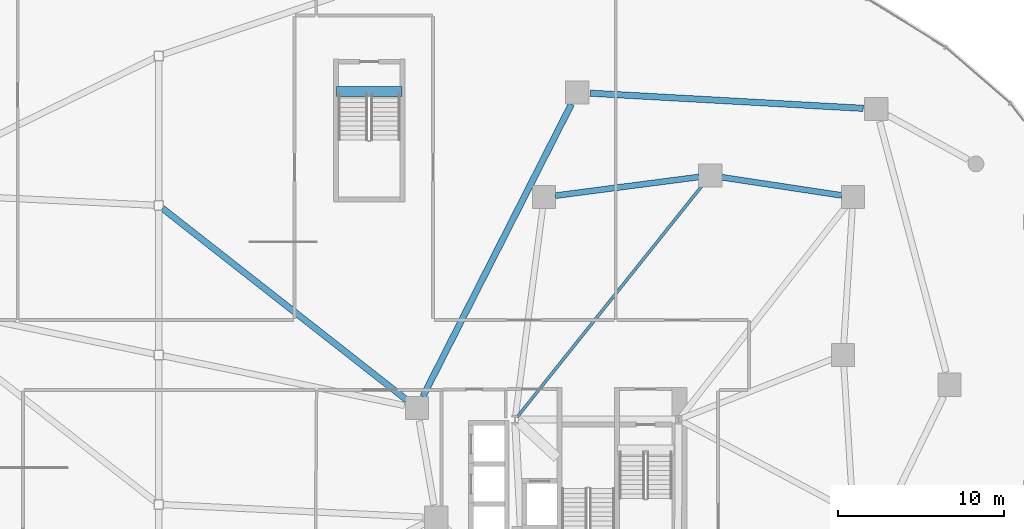
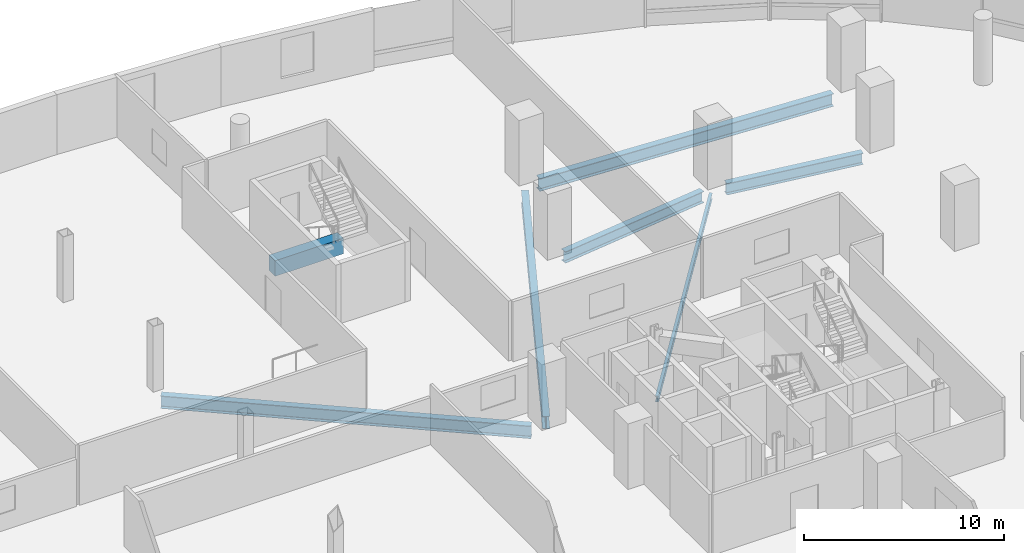
# One storey, part 9 of 18: 7 beams.
"""IFC4 building model written with IfcOpenShell, lengths in metres."""

from ifc_helpers import new_model, si_unit, direction, frame, origin, origin_2d, place, context, subcontext, project, spatial, rectangle, i_section, extrude, material, material_profile, profile_set, type_object, element, save


model = new_model("IFC4")

# Units and contexts
model_context = context("Model", 3, precision=1e-05, world=origin(), true_north=direction((0.0, 1.0)))
body_context = subcontext(model_context, "Body", "Model", "MODEL_VIEW")
ifc_project = project(units=[si_unit("LENGTHUNIT", "METRE"), si_unit("AREAUNIT", "SQUARE_METRE"), si_unit("VOLUMEUNIT", "CUBIC_METRE"), si_unit("PLANEANGLEUNIT", "RADIAN"), si_unit("MASSUNIT", "GRAM", prefix="KILO"), si_unit("THERMODYNAMICTEMPERATUREUNIT", "KELVIN"), si_unit("POWERUNIT", "WATT")], contexts=[model_context])

# Site, building, storey
site_placement = place(None, origin())
site = spatial("IfcSite", under=ifc_project, at=site_placement, CompositionType="ELEMENT")
building_placement = place(site_placement, origin())
building = spatial("IfcBuilding", under=site, at=building_placement, Name="Cundina Bronze Exchange", CompositionType="ELEMENT")
storey_placement = place(building_placement, frame((0.0, 0.0, 12.0)))
storey = spatial("IfcBuildingStorey", under=building, at=storey_placement, Name="L02", CompositionType="ELEMENT", Elevation=12.0)

# Beams
ifc_material_1 = material(Name="Concrete C60/75", Category="concrete")
ifc_material_profile_1 = material_profile(ifc_material_1, rectangle(XDim=0.60009765625, YDim=0.949951171875, at=origin_2d()), Name="RC600X950", Category="concrete")
ifc_profile_set_1 = profile_set([ifc_material_profile_1], Name="Concrete C60/75")
beam_type_1 = type_object("IfcBeamType", Name="BM-COUP-RC950", PredefinedType="LINTEL", material=ifc_profile_set_1)
beam_1_placement = place(storey_placement, frame((10.699951171875, 15.8701171875, -0.47509765625), z_axis=(1.0, 0.0, 0.0), x_axis=(0.0, 1.0, 0.0)))
element("IfcBeam", 1, at=beam_1_placement, inside=storey, type_object=beam_type_1, Name="L02 Concourse Stair E Landing Header Beam", PredefinedType="LINTEL", context=body_context, shape_type="SweptSolid", body=[
    extrude(rectangle(XDim=0.60009765625, YDim=0.949951171875, at=origin_2d()), origin(), (0.0, 0.0, 1.0), 3.93994140625),
])
ifc_material_2 = material(Name="Steel ASTM A992 Grade 50", Category="steel")
ifc_material_profile_2 = material_profile(ifc_material_2, i_section(OverallWidth=0.172119140625, OverallDepth=0.35791015625, WebThickness=0.0078125, FlangeThickness=0.01318359375, FilletRadius=0.010009765625, at=origin_2d()), Name="W14X38", Category="steel")
ifc_profile_set_2 = profile_set([ifc_material_profile_2], Name="Steel ASTM A992 Grade 50")
beam_type_2 = type_object("IfcBeamType", Name="BM-JST-W14", PredefinedType="JOIST", material=ifc_profile_set_2)
beam_2_placement = place(storey_placement, frame((21.577392578125, -3.740478515625, -0.529052734375), z_axis=(0.624374458297, 0.781125172957, 0.0), x_axis=(-0.781125172957, 0.624374458297, 0.0)))
element("IfcBeam", 2, at=beam_2_placement, inside=storey, type_object=beam_type_2, Name="L02 E Interior Core-to-Ring Joist 2", PredefinedType="JOIST", context=body_context, shape_type="SweptSolid", body=[
    extrude(i_section(OverallWidth=0.172119140625, OverallDepth=0.35791015625, WebThickness=0.0078125, FlangeThickness=0.01318359375, FilletRadius=0.010009765625, at=origin_2d()), origin(), (0.0, 0.0, 1.0), 17.927001953125),
])
ifc_material_profile_3 = material_profile(ifc_material_2, i_section(OverallWidth=0.35498046875, OverallDepth=0.695068359375, WebThickness=0.015380859375, FlangeThickness=0.02490234375, FilletRadius=0.01806640625, at=origin_2d()), Name="W27X146", Category="steel")
ifc_profile_set_3 = profile_set([ifc_material_profile_3], Name="Steel ASTM A992 Grade 50")
beam_type_3 = type_object("IfcBeamType", Name="BM-RING-W27", PredefinedType="USERDEFINED", material=ifc_profile_set_3)
beam_3_placement = place(storey_placement, frame((41.11962890625, 9.602783203125, -0.697509765625), z_axis=(-0.988763496177, 0.149488289268, 0.0), x_axis=(-0.149488289268, -0.988763496177, 0.0)))
element("IfcBeam", 3, at=beam_3_placement, inside=storey, type_object=beam_type_3, Name="L02 E Inner Structural Ring Girder 05", ObjectType="GIRDER", PredefinedType="USERDEFINED", context=body_context, shape_type="SweptSolid", body=[
    extrude(i_section(OverallWidth=0.35498046875, OverallDepth=0.695068359375, WebThickness=0.015380859375, FlangeThickness=0.02490234375, FilletRadius=0.01806640625, at=origin_2d()), origin(), (0.0, 0.0, 1.0), 7.321533203125),
])
beam_4_placement = place(storey_placement, frame((32.517578125, 10.711181640625, -0.697509765625), z_axis=(-0.991655975758, -0.128912473185, 0.0), x_axis=(0.128912473185, -0.991655975758, 0.0)))
element("IfcBeam", 4, at=beam_4_placement, inside=storey, type_object=beam_type_3, Name="L02 E Inner Structural Ring Girder 06", ObjectType="GIRDER", PredefinedType="USERDEFINED", context=body_context, shape_type="SweptSolid", body=[
    extrude(i_section(OverallWidth=0.35498046875, OverallDepth=0.695068359375, WebThickness=0.015380859375, FlangeThickness=0.02490234375, FilletRadius=0.01806640625, at=origin_2d()), origin(), (0.0, 0.0, 1.0), 8.7080078125),
])
ifc_material_profile_4 = material_profile(ifc_material_2, i_section(OverallWidth=0.381103515625, OverallDepth=0.77294921875, WebThickness=0.0166015625, FlangeThickness=0.027099609375, FilletRadius=0.01904296875, at=origin_2d()), Name="W30X173", Category="steel")
ifc_profile_set_4 = profile_set([ifc_material_profile_4], Name="Steel ASTM A992 Grade 50")
beam_type_4 = type_object("IfcBeamType", Name="BM-RING-W30", PredefinedType="USERDEFINED", material=ifc_profile_set_4)
beam_5_placement = place(storey_placement, frame((0.2265625, 8.822265625, -0.736572265625), z_axis=(0.786753774413, -0.617266958817, 0.0), x_axis=(0.617266958817, 0.786753774413, 0.0)))
element("IfcBeam", 5, at=beam_5_placement, inside=storey, type_object=beam_type_4, Name="L02 Concourse East Span Girder 04", ObjectType="GIRDER", PredefinedType="USERDEFINED", context=body_context, shape_type="SweptSolid", body=[
    extrude(i_section(OverallWidth=0.381103515625, OverallDepth=0.77294921875, WebThickness=0.0166015625, FlangeThickness=0.027099609375, FilletRadius=0.01904296875, at=origin_2d()), origin(), (0.0, 0.0, 1.0), 18.688720703125),
])
beam_6_placement = place(storey_placement, frame((42.4130859375, 14.84375, -0.736572265625), z_axis=(-0.998460261881, 0.05547166343, 0.0), x_axis=(-0.05547166343, -0.998460261881, 0.0)))
element("IfcBeam", 6, at=beam_6_placement, inside=storey, type_object=beam_type_4, Name="L02 E Podium Ring Girder 10", ObjectType="GIRDER", PredefinedType="USERDEFINED", context=body_context, shape_type="SweptSolid", body=[
    extrude(i_section(OverallWidth=0.381103515625, OverallDepth=0.77294921875, WebThickness=0.0166015625, FlangeThickness=0.027099609375, FilletRadius=0.01904296875, at=origin_2d()), origin(), (0.0, 0.0, 1.0), 16.45166015625),
])
beam_7_placement = place(storey_placement, frame((24.84326171875, 15.097412109375, -0.736572265625), z_axis=(-0.452846100384, -0.891588699663, 0.0), x_axis=(0.891588699663, -0.452846100384, 0.0)))
element("IfcBeam", 7, at=beam_7_placement, inside=storey, type_object=beam_type_4, Name="L02 E Podium Ring Girder 12", ObjectType="GIRDER", PredefinedType="USERDEFINED", context=body_context, shape_type="SweptSolid", body=[
    extrude(i_section(OverallWidth=0.381103515625, OverallDepth=0.77294921875, WebThickness=0.0166015625, FlangeThickness=0.027099609375, FilletRadius=0.01904296875, at=origin_2d()), origin(), (0.0, 0.0, 1.0), 19.734130859375),
])

save(model, "model.ifc")
